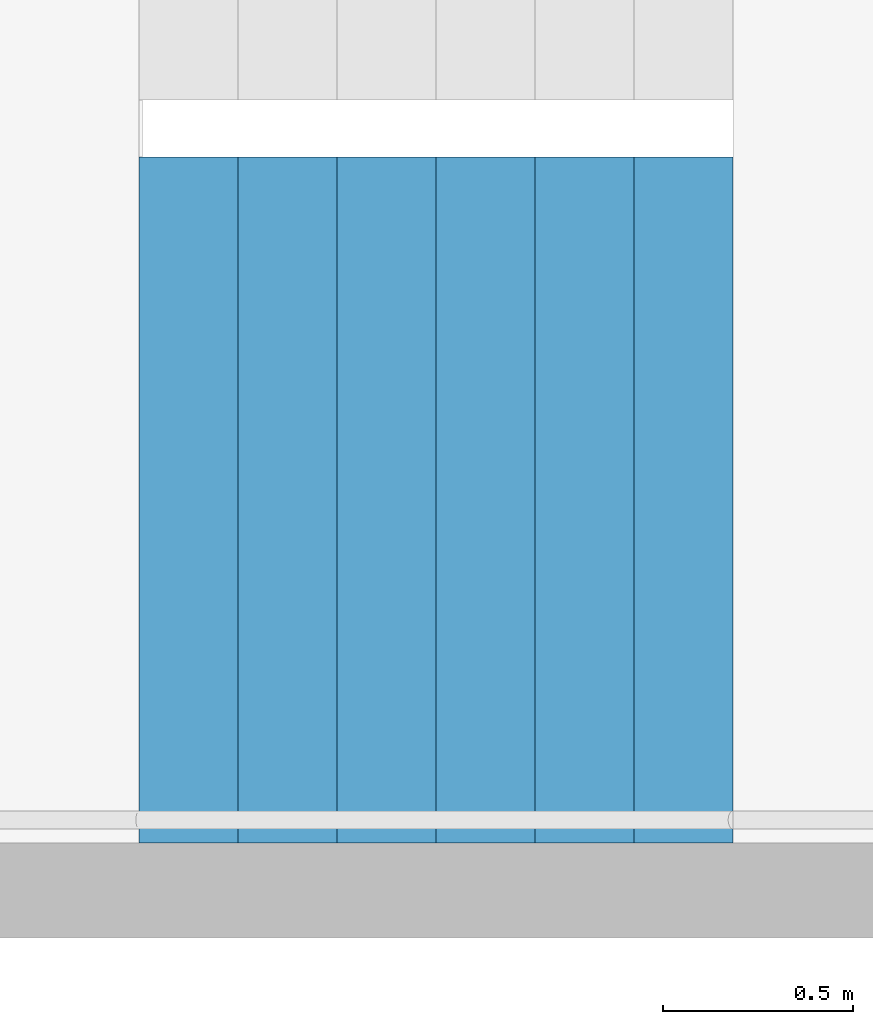
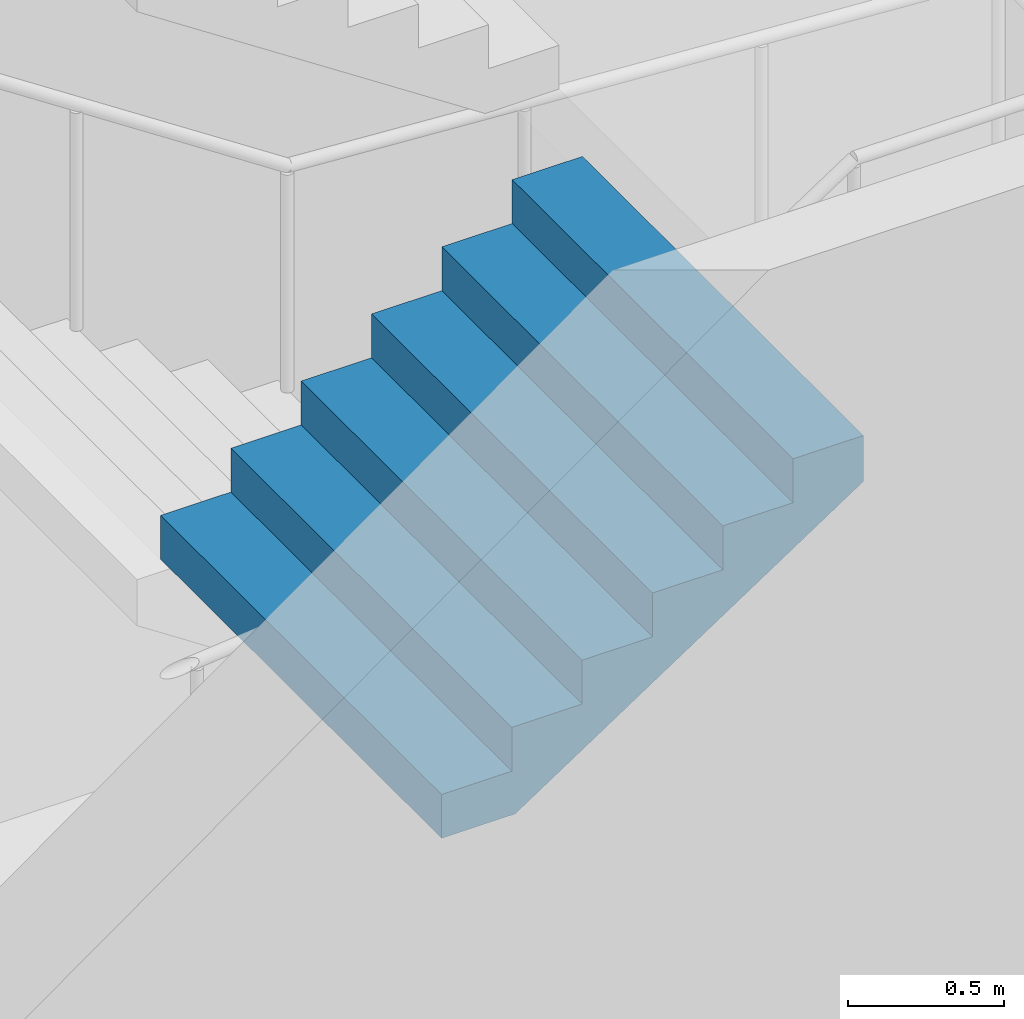
# One storey, part 32 of 53: 1 stair flight, 1 element without a shape of its own.
"""IFC4 building model written with IfcOpenShell, lengths in metres."""

from ifc_helpers import new_model, si_unit, direction, frame, origin, place, context, subcontext, project, spatial, triangles, material, type_object, element, aggregate, save


model = new_model("IFC4")

# Units and contexts
model_context = context("Model", 3, precision=1e-05, world=origin(), true_north=direction((0.0, 1.0)))
body_context = subcontext(model_context, "Body", "Model", "MODEL_VIEW")
ifc_project = project(units=[si_unit("LENGTHUNIT", "METRE"), si_unit("AREAUNIT", "SQUARE_METRE"), si_unit("VOLUMEUNIT", "CUBIC_METRE"), si_unit("PLANEANGLEUNIT", "RADIAN"), si_unit("MASSUNIT", "GRAM", prefix="KILO")], contexts=[model_context])

# Site, building, storey
site_placement = place(None, origin())
site = spatial("IfcSite", under=ifc_project, at=site_placement, CompositionType="ELEMENT")
building_placement = place(site_placement, origin())
building = spatial("IfcBuilding", under=site, at=building_placement, Name="Hakoniwa Tower and Hamabe Station Hall", CompositionType="ELEMENT")
storey_placement = place(building_placement, frame((0.0, 0.0, 15.0)))
storey = spatial("IfcBuildingStorey", under=building, at=storey_placement, Name="L03", CompositionType="ELEMENT", Elevation=15.0)

# Stair, stair flight
ifc_material_1 = material(Name="Concrete C40", Category="concrete")
stair_type = type_object("IfcStairType", Name="ESCAPE STAIR 1800", PredefinedType="HALF_TURN_STAIR", material=ifc_material_1)
stair_placement = place(storey_placement, origin())
stair = element("IfcStair", 1, at=stair_placement, inside=storey, type_object=stair_type, Name="Escape stair ST-1 L03", PredefinedType="HALF_TURN_STAIR")
ifc_material_2 = material(Name="Concrete C40", Category="concrete")
stair_flight_type = type_object("IfcStairFlightType", Name="STAIR FLIGHT 1800", PredefinedType="STRAIGHT", material=ifc_material_2)
stair_flight_placement = place(storey_placement, frame((-24.39990234375, 4.64990234375, 2.39990234375), z_axis=(0.0, 0.0, 1.0), x_axis=(1.0, 0.0, 0.0)))
stair_flight = element("IfcStairFlight", 2, at=stair_flight_placement, type_object=stair_flight_type, Name="ST-1 flight 3", NumberOfRisers=7, NumberOfTreads=6, PredefinedType="STRAIGHT", RiserHeight=0.171428571, TreadLength=0.26, context=body_context, shape_type="Tessellation", body=[
    triangles([(0.0, 0.89990234375, 0.0), (0.260009765625, 0.89990234375, 0.0), (0.272216796875, 0.89990234375, 0.0), (0.52001953125, 0.89990234375, 0.163330078125), (0.780029296875, 0.89990234375, 0.334716796875), (1.0400390625, 0.89990234375, 0.506103515625), (1.300048828125, 0.89990234375, 0.677490234375), (1.56005859375, 0.89990234375, 0.84912109375), (1.56005859375, 0.89990234375, 1.028564453125), (1.300048828125, 0.89990234375, 1.028564453125), (1.300048828125, 0.89990234375, 0.857177734375), (1.0400390625, 0.89990234375, 0.857177734375), (1.0400390625, 0.89990234375, 0.685791015625), (0.780029296875, 0.89990234375, 0.685791015625), (0.780029296875, 0.89990234375, 0.514404296875), (0.52001953125, 0.89990234375, 0.514404296875), (0.52001953125, 0.89990234375, 0.3427734375), (0.272216796875, 0.89990234375, 0.3427734375), (0.260009765625, 0.89990234375, 0.3427734375), (0.260009765625, 0.89990234375, 0.17138671875), (0.0, 0.89990234375, 0.17138671875), (0.0, 0.06005859375, 0.0), (0.260009765625, 0.06005859375, 0.0), (0.272216796875, 0.06005859375, 0.0), (0.52001953125, 0.06005859375, 0.163330078125), (0.780029296875, 0.06005859375, 0.334716796875), (1.0400390625, 0.06005859375, 0.506103515625), (1.300048828125, 0.06005859375, 0.677490234375), (1.56005859375, 0.06005859375, 0.84912109375), (1.56005859375, 0.06005859375, 1.028564453125), (1.300048828125, 0.06005859375, 1.028564453125), (1.300048828125, 0.06005859375, 0.857177734375), (1.0400390625, 0.06005859375, 0.857177734375), (1.0400390625, 0.06005859375, 0.685791015625), (0.780029296875, 0.06005859375, 0.685791015625), (0.780029296875, 0.06005859375, 0.514404296875), (0.52001953125, 0.06005859375, 0.514404296875), (0.52001953125, 0.06005859375, 0.3427734375), (0.272216796875, 0.06005859375, 0.3427734375), (0.260009765625, 0.06005859375, 0.3427734375), (0.260009765625, 0.06005859375, 0.17138671875), (0.0, 0.06005859375, 0.17138671875), (0.0, 0.049072265625, 0.0), (0.260009765625, 0.049072265625, 0.0), (0.272216796875, 0.049072265625, 0.0), (0.52001953125, 0.049072265625, 0.163330078125), (0.780029296875, 0.049072265625, 0.334716796875), (1.0400390625, 0.049072265625, 0.506103515625), (1.300048828125, 0.049072265625, 0.677490234375), (1.56005859375, 0.049072265625, 0.84912109375), (1.56005859375, 0.049072265625, 1.028564453125), (1.300048828125, 0.049072265625, 1.028564453125), (1.300048828125, 0.049072265625, 0.857177734375), (1.0400390625, 0.049072265625, 0.857177734375), (1.0400390625, 0.049072265625, 0.685791015625), (0.780029296875, 0.049072265625, 0.685791015625), (0.780029296875, 0.049072265625, 0.514404296875), (0.52001953125, 0.049072265625, 0.514404296875), (0.52001953125, 0.049072265625, 0.3427734375), (0.272216796875, 0.049072265625, 0.3427734375), (0.260009765625, 0.049072265625, 0.3427734375), (0.260009765625, 0.049072265625, 0.17138671875), (0.0, 0.049072265625, 0.17138671875), (0.0, 0.0380859375, 0.0), (0.260009765625, 0.0380859375, 0.0), (0.272216796875, 0.0380859375, 0.0), (0.52001953125, 0.0380859375, 0.163330078125), (0.780029296875, 0.0380859375, 0.334716796875), (1.0400390625, 0.0380859375, 0.506103515625), (1.300048828125, 0.0380859375, 0.677490234375), (1.56005859375, 0.0380859375, 0.84912109375), (1.56005859375, 0.0380859375, 1.028564453125), (1.300048828125, 0.0380859375, 1.028564453125), (1.300048828125, 0.0380859375, 0.857177734375), (1.0400390625, 0.0380859375, 0.857177734375), (1.0400390625, 0.0380859375, 0.685791015625), (0.780029296875, 0.0380859375, 0.685791015625), (0.780029296875, 0.0380859375, 0.514404296875), (0.52001953125, 0.0380859375, 0.514404296875), (0.52001953125, 0.0380859375, 0.3427734375), (0.272216796875, 0.0380859375, 0.3427734375), (0.260009765625, 0.0380859375, 0.3427734375), (0.260009765625, 0.0380859375, 0.17138671875), (0.0, 0.0380859375, 0.17138671875), (0.0, 0.02734375, 0.0), (0.260009765625, 0.02734375, 0.0), (0.272216796875, 0.02734375, 0.0), (0.52001953125, 0.02734375, 0.163330078125), (0.780029296875, 0.02734375, 0.334716796875), (1.0400390625, 0.02734375, 0.506103515625), (1.300048828125, 0.02734375, 0.677490234375), (1.56005859375, 0.02734375, 0.84912109375), (1.56005859375, 0.02734375, 1.028564453125), (1.300048828125, 0.02734375, 1.028564453125), (1.300048828125, 0.02734375, 0.857177734375), (1.0400390625, 0.02734375, 0.857177734375), (1.0400390625, 0.02734375, 0.685791015625), (0.780029296875, 0.02734375, 0.685791015625), (0.780029296875, 0.02734375, 0.514404296875), (0.52001953125, 0.02734375, 0.514404296875), (0.52001953125, 0.02734375, 0.3427734375), (0.272216796875, 0.02734375, 0.3427734375), (0.260009765625, 0.02734375, 0.3427734375), (0.260009765625, 0.02734375, 0.17138671875), (0.0, 0.02734375, 0.17138671875), (0.0, 0.016357421875, 0.0), (0.260009765625, 0.016357421875, 0.0), (0.272216796875, 0.016357421875, 0.0), (0.52001953125, 0.016357421875, 0.163330078125), (0.780029296875, 0.016357421875, 0.334716796875), (1.0400390625, 0.016357421875, 0.506103515625), (1.300048828125, 0.016357421875, 0.677490234375), (1.56005859375, 0.016357421875, 0.84912109375), (1.56005859375, 0.016357421875, 1.028564453125), (1.300048828125, 0.016357421875, 1.028564453125), (1.300048828125, 0.016357421875, 0.857177734375), (1.0400390625, 0.016357421875, 0.857177734375), (1.0400390625, 0.016357421875, 0.685791015625), (0.780029296875, 0.016357421875, 0.685791015625), (0.780029296875, 0.016357421875, 0.514404296875), (0.52001953125, 0.016357421875, 0.514404296875), (0.52001953125, 0.016357421875, 0.3427734375), (0.272216796875, 0.016357421875, 0.3427734375), (0.260009765625, 0.016357421875, 0.3427734375), (0.260009765625, 0.016357421875, 0.17138671875), (0.0, 0.016357421875, 0.17138671875), (0.0, 0.00537109375, 0.0), (0.260009765625, 0.00537109375, 0.0), (0.272216796875, 0.00537109375, 0.0), (0.52001953125, 0.00537109375, 0.163330078125), (0.780029296875, 0.00537109375, 0.334716796875), (1.0400390625, 0.00537109375, 0.506103515625), (1.300048828125, 0.00537109375, 0.677490234375), (1.56005859375, 0.00537109375, 0.84912109375), (1.56005859375, 0.00537109375, 1.028564453125), (1.300048828125, 0.00537109375, 1.028564453125), (1.300048828125, 0.00537109375, 0.857177734375), (1.0400390625, 0.00537109375, 0.857177734375), (1.0400390625, 0.00537109375, 0.685791015625), (0.780029296875, 0.00537109375, 0.685791015625), (0.780029296875, 0.00537109375, 0.514404296875), (0.52001953125, 0.00537109375, 0.514404296875), (0.52001953125, 0.00537109375, 0.3427734375), (0.272216796875, 0.00537109375, 0.3427734375), (0.260009765625, 0.00537109375, 0.3427734375), (0.260009765625, 0.00537109375, 0.17138671875), (0.0, 0.00537109375, 0.17138671875), (0.0, -0.00537109375, 0.0), (0.260009765625, -0.00537109375, 0.0), (0.272216796875, -0.00537109375, 0.0), (0.52001953125, -0.00537109375, 0.163330078125), (0.780029296875, -0.00537109375, 0.334716796875), (1.0400390625, -0.00537109375, 0.506103515625), (1.300048828125, -0.00537109375, 0.677490234375), (1.56005859375, -0.00537109375, 0.84912109375), (1.56005859375, -0.00537109375, 1.028564453125), (1.300048828125, -0.00537109375, 1.028564453125), (1.300048828125, -0.00537109375, 0.857177734375), (1.0400390625, -0.00537109375, 0.857177734375), (1.0400390625, -0.00537109375, 0.685791015625), (0.780029296875, -0.00537109375, 0.685791015625), (0.780029296875, -0.00537109375, 0.514404296875), (0.52001953125, -0.00537109375, 0.514404296875), (0.52001953125, -0.00537109375, 0.3427734375), (0.272216796875, -0.00537109375, 0.3427734375), (0.260009765625, -0.00537109375, 0.3427734375), (0.260009765625, -0.00537109375, 0.17138671875), (0.0, -0.00537109375, 0.17138671875), (0.0, -0.016357421875, 0.0), (0.260009765625, -0.016357421875, 0.0), (0.272216796875, -0.016357421875, 0.0), (0.52001953125, -0.016357421875, 0.163330078125), (0.780029296875, -0.016357421875, 0.334716796875), (1.0400390625, -0.016357421875, 0.506103515625), (1.300048828125, -0.016357421875, 0.677490234375), (1.56005859375, -0.016357421875, 0.84912109375), (1.56005859375, -0.016357421875, 1.028564453125), (1.300048828125, -0.016357421875, 1.028564453125), (1.300048828125, -0.016357421875, 0.857177734375), (1.0400390625, -0.016357421875, 0.857177734375), (1.0400390625, -0.016357421875, 0.685791015625), (0.780029296875, -0.016357421875, 0.685791015625), (0.780029296875, -0.016357421875, 0.514404296875), (0.52001953125, -0.016357421875, 0.514404296875), (0.52001953125, -0.016357421875, 0.3427734375), (0.272216796875, -0.016357421875, 0.3427734375), (0.260009765625, -0.016357421875, 0.3427734375), (0.260009765625, -0.016357421875, 0.17138671875), (0.0, -0.016357421875, 0.17138671875), (0.0, -0.02734375, 0.0), (0.260009765625, -0.02734375, 0.0), (0.272216796875, -0.02734375, 0.0), (0.52001953125, -0.02734375, 0.163330078125), (0.780029296875, -0.02734375, 0.334716796875), (1.0400390625, -0.02734375, 0.506103515625), (1.300048828125, -0.02734375, 0.677490234375), (1.56005859375, -0.02734375, 0.84912109375), (1.56005859375, -0.02734375, 1.028564453125), (1.300048828125, -0.02734375, 1.028564453125), (1.300048828125, -0.02734375, 0.857177734375), (1.0400390625, -0.02734375, 0.857177734375), (1.0400390625, -0.02734375, 0.685791015625), (0.780029296875, -0.02734375, 0.685791015625), (0.780029296875, -0.02734375, 0.514404296875), (0.52001953125, -0.02734375, 0.514404296875), (0.52001953125, -0.02734375, 0.3427734375), (0.272216796875, -0.02734375, 0.3427734375), (0.260009765625, -0.02734375, 0.3427734375), (0.260009765625, -0.02734375, 0.17138671875), (0.0, -0.02734375, 0.17138671875), (0.0, -0.0380859375, 0.0), (0.260009765625, -0.0380859375, 0.0), (0.272216796875, -0.0380859375, 0.0), (0.52001953125, -0.0380859375, 0.163330078125), (0.780029296875, -0.0380859375, 0.334716796875), (1.0400390625, -0.0380859375, 0.506103515625), (1.300048828125, -0.0380859375, 0.677490234375), (1.56005859375, -0.0380859375, 0.84912109375), (1.56005859375, -0.0380859375, 1.028564453125), (1.300048828125, -0.0380859375, 1.028564453125), (1.300048828125, -0.0380859375, 0.857177734375), (1.0400390625, -0.0380859375, 0.857177734375), (1.0400390625, -0.0380859375, 0.685791015625), (0.780029296875, -0.0380859375, 0.685791015625), (0.780029296875, -0.0380859375, 0.514404296875), (0.52001953125, -0.0380859375, 0.514404296875), (0.52001953125, -0.0380859375, 0.3427734375), (0.272216796875, -0.0380859375, 0.3427734375), (0.260009765625, -0.0380859375, 0.3427734375), (0.260009765625, -0.0380859375, 0.17138671875), (0.0, -0.0380859375, 0.17138671875), (0.0, -0.049072265625, 0.0), (0.260009765625, -0.049072265625, 0.0), (0.272216796875, -0.049072265625, 0.0), (0.52001953125, -0.049072265625, 0.163330078125), (0.780029296875, -0.049072265625, 0.334716796875), (1.0400390625, -0.049072265625, 0.506103515625), (1.300048828125, -0.049072265625, 0.677490234375), (1.56005859375, -0.049072265625, 0.84912109375), (1.56005859375, -0.049072265625, 1.028564453125), (1.300048828125, -0.049072265625, 1.028564453125), (1.300048828125, -0.049072265625, 0.857177734375), (1.0400390625, -0.049072265625, 0.857177734375), (1.0400390625, -0.049072265625, 0.685791015625), (0.780029296875, -0.049072265625, 0.685791015625), (0.780029296875, -0.049072265625, 0.514404296875), (0.52001953125, -0.049072265625, 0.514404296875), (0.52001953125, -0.049072265625, 0.3427734375), (0.272216796875, -0.049072265625, 0.3427734375), (0.260009765625, -0.049072265625, 0.3427734375), (0.260009765625, -0.049072265625, 0.17138671875), (0.0, -0.049072265625, 0.17138671875), (0.0, -0.06005859375, 0.0), (0.260009765625, -0.06005859375, 0.0), (0.272216796875, -0.06005859375, 0.0), (0.52001953125, -0.06005859375, 0.163330078125), (0.780029296875, -0.06005859375, 0.334716796875), (1.0400390625, -0.06005859375, 0.506103515625), (1.300048828125, -0.06005859375, 0.677490234375), (1.56005859375, -0.06005859375, 0.84912109375), (1.56005859375, -0.06005859375, 1.028564453125), (1.300048828125, -0.06005859375, 1.028564453125), (1.300048828125, -0.06005859375, 0.857177734375), (1.0400390625, -0.06005859375, 0.857177734375), (1.0400390625, -0.06005859375, 0.685791015625), (0.780029296875, -0.06005859375, 0.685791015625), (0.780029296875, -0.06005859375, 0.514404296875), (0.52001953125, -0.06005859375, 0.514404296875), (0.52001953125, -0.06005859375, 0.3427734375), (0.272216796875, -0.06005859375, 0.3427734375), (0.260009765625, -0.06005859375, 0.3427734375), (0.260009765625, -0.06005859375, 0.17138671875), (0.0, -0.06005859375, 0.17138671875), (0.0, -0.89990234375, 0.0), (0.260009765625, -0.89990234375, 0.0), (0.272216796875, -0.89990234375, 0.0), (0.52001953125, -0.89990234375, 0.163330078125), (0.780029296875, -0.89990234375, 0.334716796875), (1.0400390625, -0.89990234375, 0.506103515625), (1.300048828125, -0.89990234375, 0.677490234375), (1.56005859375, -0.89990234375, 0.84912109375), (1.56005859375, -0.89990234375, 1.028564453125), (1.300048828125, -0.89990234375, 1.028564453125), (1.300048828125, -0.89990234375, 0.857177734375), (1.0400390625, -0.89990234375, 0.857177734375), (1.0400390625, -0.89990234375, 0.685791015625), (0.780029296875, -0.89990234375, 0.685791015625), (0.780029296875, -0.89990234375, 0.514404296875), (0.52001953125, -0.89990234375, 0.514404296875), (0.52001953125, -0.89990234375, 0.3427734375), (0.272216796875, -0.89990234375, 0.3427734375), (0.260009765625, -0.89990234375, 0.3427734375), (0.260009765625, -0.89990234375, 0.17138671875), (0.0, -0.89990234375, 0.17138671875)], [[2, 21, 20], [275, 293, 294], [2, 1, 21], [275, 294, 274], [3, 19, 18], [276, 291, 292], [3, 20, 19], [276, 292, 293], [3, 2, 20], [276, 293, 275], [4, 18, 17], [277, 290, 291], [4, 3, 18], [277, 291, 276], [5, 16, 15], [278, 288, 289], [5, 17, 16], [278, 289, 290], [5, 4, 17], [278, 290, 277], [6, 14, 13], [279, 286, 287], [6, 15, 14], [279, 287, 288], [6, 5, 15], [279, 288, 278], [7, 12, 11], [280, 284, 285], [7, 13, 12], [280, 285, 286], [7, 6, 13], [280, 286, 279], [8, 10, 9], [281, 282, 283], [8, 11, 10], [281, 283, 284], [8, 7, 11], [281, 284, 280], [1, 2, 23], [1, 23, 22], [22, 23, 44], [22, 44, 43], [43, 44, 65], [43, 65, 64], [64, 65, 86], [64, 86, 85], [85, 86, 107], [85, 107, 106], [106, 107, 128], [106, 128, 127], [127, 128, 149], [127, 149, 148], [148, 149, 170], [148, 170, 169], [169, 170, 191], [169, 191, 190], [190, 191, 212], [190, 212, 211], [211, 212, 233], [211, 233, 232], [232, 233, 254], [232, 254, 253], [253, 254, 275], [253, 275, 274], [2, 3, 24], [2, 24, 23], [23, 24, 45], [23, 45, 44], [44, 45, 66], [44, 66, 65], [65, 66, 87], [65, 87, 86], [86, 87, 108], [86, 108, 107], [107, 108, 129], [107, 129, 128], [128, 129, 150], [128, 150, 149], [149, 150, 171], [149, 171, 170], [170, 171, 192], [170, 192, 191], [191, 192, 213], [191, 213, 212], [212, 213, 234], [212, 234, 233], [233, 234, 255], [233, 255, 254], [254, 255, 276], [254, 276, 275], [3, 4, 25], [3, 25, 24], [24, 25, 46], [24, 46, 45], [45, 46, 67], [45, 67, 66], [66, 67, 88], [66, 88, 87], [87, 88, 109], [87, 109, 108], [108, 109, 130], [108, 130, 129], [129, 130, 151], [129, 151, 150], [150, 151, 172], [150, 172, 171], [171, 172, 193], [171, 193, 192], [192, 193, 214], [192, 214, 213], [213, 214, 235], [213, 235, 234], [234, 235, 256], [234, 256, 255], [255, 256, 277], [255, 277, 276], [4, 5, 26], [4, 26, 25], [25, 26, 47], [25, 47, 46], [46, 47, 68], [46, 68, 67], [67, 68, 89], [67, 89, 88], [88, 89, 110], [88, 110, 109], [109, 110, 131], [109, 131, 130], [130, 131, 152], [130, 152, 151], [151, 152, 173], [151, 173, 172], [172, 173, 194], [172, 194, 193], [193, 194, 215], [193, 215, 214], [214, 215, 236], [214, 236, 235], [235, 236, 257], [235, 257, 256], [256, 257, 278], [256, 278, 277], [5, 6, 27], [5, 27, 26], [26, 27, 48], [26, 48, 47], [47, 48, 69], [47, 69, 68], [68, 69, 90], [68, 90, 89], [89, 90, 111], [89, 111, 110], [110, 111, 132], [110, 132, 131], [131, 132, 153], [131, 153, 152], [152, 153, 174], [152, 174, 173], [173, 174, 195], [173, 195, 194], [194, 195, 216], [194, 216, 215], [215, 216, 237], [215, 237, 236], [236, 237, 258], [236, 258, 257], [257, 258, 279], [257, 279, 278], [6, 7, 28], [6, 28, 27], [27, 28, 49], [27, 49, 48], [48, 49, 70], [48, 70, 69], [69, 70, 91], [69, 91, 90], [90, 91, 112], [90, 112, 111], [111, 112, 133], [111, 133, 132], [132, 133, 154], [132, 154, 153], [153, 154, 175], [153, 175, 174], [174, 175, 196], [174, 196, 195], [195, 196, 217], [195, 217, 216], [216, 217, 238], [216, 238, 237], [237, 238, 259], [237, 259, 258], [258, 259, 280], [258, 280, 279], [7, 8, 29], [7, 29, 28], [28, 29, 50], [28, 50, 49], [49, 50, 71], [49, 71, 70], [70, 71, 92], [70, 92, 91], [91, 92, 113], [91, 113, 112], [112, 113, 134], [112, 134, 133], [133, 134, 155], [133, 155, 154], [154, 155, 176], [154, 176, 175], [175, 176, 197], [175, 197, 196], [196, 197, 218], [196, 218, 217], [217, 218, 239], [217, 239, 238], [238, 239, 260], [238, 260, 259], [259, 260, 281], [259, 281, 280], [8, 9, 30], [8, 30, 29], [29, 30, 51], [29, 51, 50], [50, 51, 72], [50, 72, 71], [71, 72, 93], [71, 93, 92], [92, 93, 114], [92, 114, 113], [113, 114, 135], [113, 135, 134], [134, 135, 156], [134, 156, 155], [155, 156, 177], [155, 177, 176], [176, 177, 198], [176, 198, 197], [197, 198, 219], [197, 219, 218], [218, 219, 240], [218, 240, 239], [239, 240, 261], [239, 261, 260], [260, 261, 282], [260, 282, 281], [9, 10, 31], [9, 31, 30], [30, 31, 52], [30, 52, 51], [51, 52, 73], [51, 73, 72], [72, 73, 94], [72, 94, 93], [93, 94, 115], [93, 115, 114], [114, 115, 136], [114, 136, 135], [135, 136, 157], [135, 157, 156], [156, 157, 178], [156, 178, 177], [177, 178, 199], [177, 199, 198], [198, 199, 220], [198, 220, 219], [219, 220, 241], [219, 241, 240], [240, 241, 262], [240, 262, 261], [261, 262, 283], [261, 283, 282], [10, 11, 32], [10, 32, 31], [31, 32, 53], [31, 53, 52], [52, 53, 74], [52, 74, 73], [73, 74, 95], [73, 95, 94], [94, 95, 116], [94, 116, 115], [115, 116, 137], [115, 137, 136], [136, 137, 158], [136, 158, 157], [157, 158, 179], [157, 179, 178], [178, 179, 200], [178, 200, 199], [199, 200, 221], [199, 221, 220], [220, 221, 242], [220, 242, 241], [241, 242, 263], [241, 263, 262], [262, 263, 284], [262, 284, 283], [11, 12, 33], [11, 33, 32], [32, 33, 54], [32, 54, 53], [53, 54, 75], [53, 75, 74], [74, 75, 96], [74, 96, 95], [95, 96, 117], [95, 117, 116], [116, 117, 138], [116, 138, 137], [137, 138, 159], [137, 159, 158], [158, 159, 180], [158, 180, 179], [179, 180, 201], [179, 201, 200], [200, 201, 222], [200, 222, 221], [221, 222, 243], [221, 243, 242], [242, 243, 264], [242, 264, 263], [263, 264, 285], [263, 285, 284], [12, 13, 34], [12, 34, 33], [33, 34, 55], [33, 55, 54], [54, 55, 76], [54, 76, 75], [75, 76, 97], [75, 97, 96], [96, 97, 118], [96, 118, 117], [117, 118, 139], [117, 139, 138], [138, 139, 160], [138, 160, 159], [159, 160, 181], [159, 181, 180], [180, 181, 202], [180, 202, 201], [201, 202, 223], [201, 223, 222], [222, 223, 244], [222, 244, 243], [243, 244, 265], [243, 265, 264], [264, 265, 286], [264, 286, 285], [13, 14, 35], [13, 35, 34], [34, 35, 56], [34, 56, 55], [55, 56, 77], [55, 77, 76], [76, 77, 98], [76, 98, 97], [97, 98, 119], [97, 119, 118], [118, 119, 140], [118, 140, 139], [139, 140, 161], [139, 161, 160], [160, 161, 182], [160, 182, 181], [181, 182, 203], [181, 203, 202], [202, 203, 224], [202, 224, 223], [223, 224, 245], [223, 245, 244], [244, 245, 266], [244, 266, 265], [265, 266, 287], [265, 287, 286], [14, 15, 36], [14, 36, 35], [35, 36, 57], [35, 57, 56], [56, 57, 78], [56, 78, 77], [77, 78, 99], [77, 99, 98], [98, 99, 120], [98, 120, 119], [119, 120, 141], [119, 141, 140], [140, 141, 162], [140, 162, 161], [161, 162, 183], [161, 183, 182], [182, 183, 204], [182, 204, 203], [203, 204, 225], [203, 225, 224], [224, 225, 246], [224, 246, 245], [245, 246, 267], [245, 267, 266], [266, 267, 288], [266, 288, 287], [15, 16, 37], [15, 37, 36], [36, 37, 58], [36, 58, 57], [57, 58, 79], [57, 79, 78], [78, 79, 100], [78, 100, 99], [99, 100, 121], [99, 121, 120], [120, 121, 142], [120, 142, 141], [141, 142, 163], [141, 163, 162], [162, 163, 184], [162, 184, 183], [183, 184, 205], [183, 205, 204], [204, 205, 226], [204, 226, 225], [225, 226, 247], [225, 247, 246], [246, 247, 268], [246, 268, 267], [267, 268, 289], [267, 289, 288], [16, 17, 38], [16, 38, 37], [37, 38, 59], [37, 59, 58], [58, 59, 80], [58, 80, 79], [79, 80, 101], [79, 101, 100], [100, 101, 122], [100, 122, 121], [121, 122, 143], [121, 143, 142], [142, 143, 164], [142, 164, 163], [163, 164, 185], [163, 185, 184], [184, 185, 206], [184, 206, 205], [205, 206, 227], [205, 227, 226], [226, 227, 248], [226, 248, 247], [247, 248, 269], [247, 269, 268], [268, 269, 290], [268, 290, 289], [17, 18, 39], [17, 39, 38], [38, 39, 60], [38, 60, 59], [59, 60, 81], [59, 81, 80], [80, 81, 102], [80, 102, 101], [101, 102, 123], [101, 123, 122], [122, 123, 144], [122, 144, 143], [143, 144, 165], [143, 165, 164], [164, 165, 186], [164, 186, 185], [185, 186, 207], [185, 207, 206], [206, 207, 228], [206, 228, 227], [227, 228, 249], [227, 249, 248], [248, 249, 270], [248, 270, 269], [269, 270, 291], [269, 291, 290], [18, 19, 40], [18, 40, 39], [39, 40, 61], [39, 61, 60], [60, 61, 82], [60, 82, 81], [81, 82, 103], [81, 103, 102], [102, 103, 124], [102, 124, 123], [123, 124, 145], [123, 145, 144], [144, 145, 166], [144, 166, 165], [165, 166, 187], [165, 187, 186], [186, 187, 208], [186, 208, 207], [207, 208, 229], [207, 229, 228], [228, 229, 250], [228, 250, 249], [249, 250, 271], [249, 271, 270], [270, 271, 292], [270, 292, 291], [19, 20, 41], [19, 41, 40], [40, 41, 62], [40, 62, 61], [61, 62, 83], [61, 83, 82], [82, 83, 104], [82, 104, 103], [103, 104, 125], [103, 125, 124], [124, 125, 146], [124, 146, 145], [145, 146, 167], [145, 167, 166], [166, 167, 188], [166, 188, 187], [187, 188, 209], [187, 209, 208], [208, 209, 230], [208, 230, 229], [229, 230, 251], [229, 251, 250], [250, 251, 272], [250, 272, 271], [271, 272, 293], [271, 293, 292], [20, 21, 42], [20, 42, 41], [41, 42, 63], [41, 63, 62], [62, 63, 84], [62, 84, 83], [83, 84, 105], [83, 105, 104], [104, 105, 126], [104, 126, 125], [125, 126, 147], [125, 147, 146], [146, 147, 168], [146, 168, 167], [167, 168, 189], [167, 189, 188], [188, 189, 210], [188, 210, 209], [209, 210, 231], [209, 231, 230], [230, 231, 252], [230, 252, 251], [251, 252, 273], [251, 273, 272], [272, 273, 294], [272, 294, 293], [21, 1, 22], [21, 22, 42], [42, 22, 43], [42, 43, 63], [63, 43, 64], [63, 64, 84], [84, 64, 85], [84, 85, 105], [105, 85, 106], [105, 106, 126], [126, 106, 127], [126, 127, 147], [147, 127, 148], [147, 148, 168], [168, 148, 169], [168, 169, 189], [189, 169, 190], [189, 190, 210], [210, 190, 211], [210, 211, 231], [231, 211, 232], [231, 232, 252], [252, 232, 253], [252, 253, 273], [273, 253, 274], [273, 274, 294]], closed=True),
])
aggregate(stair, [stair_flight])

save(model, "model.ifc")
